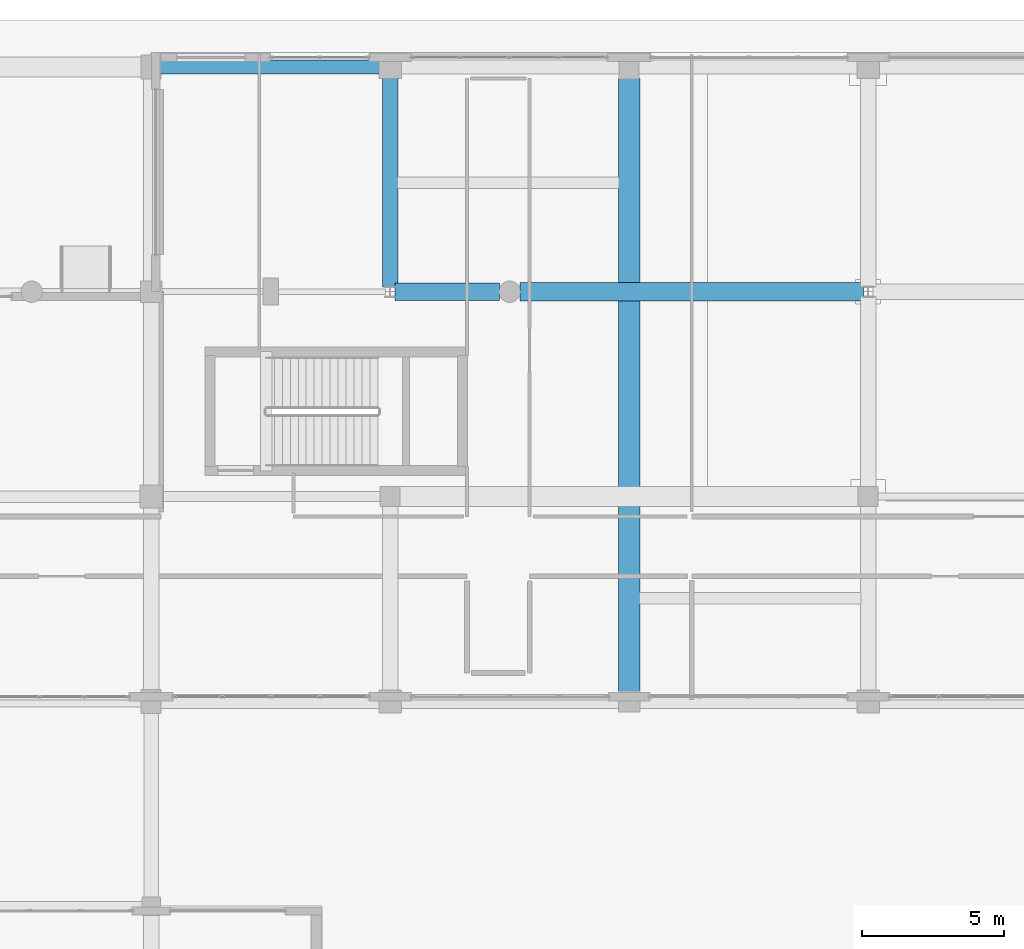
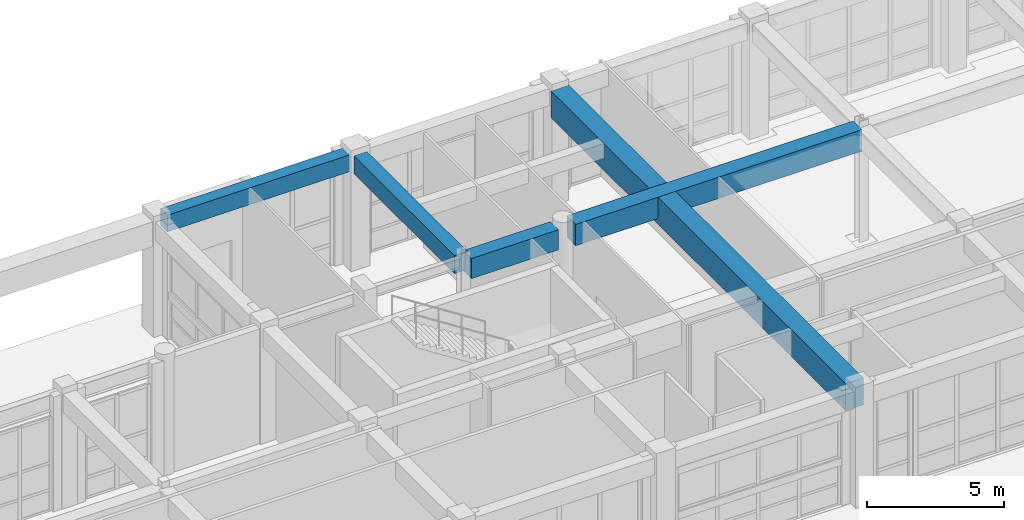
# One storey, part 92 of 148: 5 beams.
"""IFC4 building model written with IfcOpenShell, lengths in metres."""

from ifc_helpers import new_model, si_unit, direction, frame, origin, origin_2d, place, context, subcontext, project, spatial, rectangle, extrude, material, material_profile, profile_set, type_object, element, save


model = new_model("IFC4")

# Units and contexts
model_context = context("Model", 3, precision=1e-05, world=origin(), true_north=direction((0.0, 1.0)))
body_context = subcontext(model_context, "Body", "Model", "MODEL_VIEW")
ifc_project = project(units=[si_unit("LENGTHUNIT", "METRE"), si_unit("AREAUNIT", "SQUARE_METRE"), si_unit("VOLUMEUNIT", "CUBIC_METRE"), si_unit("PLANEANGLEUNIT", "RADIAN"), si_unit("MASSUNIT", "GRAM", prefix="KILO")], contexts=[model_context])

# Site, building, storey
site_placement = place(None, origin())
site = spatial("IfcSite", under=ifc_project, at=site_placement, CompositionType="ELEMENT")
building_placement = place(site_placement, origin())
building = spatial("IfcBuilding", under=site, at=building_placement, Name="Quendrovan Civic Courthouse", CompositionType="ELEMENT")
storey_placement = place(building_placement, origin())
storey = spatial("IfcBuildingStorey", under=building, at=storey_placement, Name="L01", CompositionType="ELEMENT", Elevation=0.0)

# Beams
ifc_material_1 = material(Name="Post-tensioned concrete C50/60", Category="concrete")
ifc_material_profile_1 = material_profile(ifc_material_1, rectangle(XDim=0.75, YDim=1.199951171875, at=origin_2d()), Name="PT-GIRD-750x1200")
ifc_profile_set_1 = profile_set([ifc_material_profile_1], Name="Post-tensioned concrete C50/60")
beam_type_1 = type_object("IfcBeamType", Name="BM-PT1200", PredefinedType="BEAM", material=ifc_profile_set_1)
beam_1_placement = place(storey_placement, frame((126.0, 87.955078125, 4.52001953125), z_axis=(0.0, 1.0, 0.0), x_axis=(-1.0, 0.0, 0.0)))
element("IfcBeam", 1, at=beam_1_placement, inside=storey, type_object=beam_type_1, Name="L01 Girder Y0466", PredefinedType="BEAM", context=body_context, shape_type="SweptSolid", body=[
    extrude(rectangle(XDim=0.75, YDim=1.199951171875, at=origin_2d()), origin(), (0.0, 0.0, 1.0), 21.5400390625),
])
ifc_material_profile_2 = material_profile(ifc_material_1, rectangle(XDim=0.64990234375, YDim=0.949951171875, at=origin_2d()), Name="PT-GIRD-650x950")
ifc_profile_set_2 = profile_set([ifc_material_profile_2], Name="Post-tensioned concrete C50/60")
beam_type_2 = type_object("IfcBeamType", Name="BM-PT950", PredefinedType="BEAM", material=ifc_profile_set_2)
beam_2_placement = place(storey_placement, frame((122.155029296875, 102.0, 4.64501953125), z_axis=(1.0, 0.0, 0.0), x_axis=(0.0, 1.0, 0.0)))
element("IfcBeam", 2, at=beam_2_placement, inside=storey, type_object=beam_type_2, Name="L01 Girder X0352", PredefinedType="BEAM", context=body_context, shape_type="SweptSolid", body=[
    extrude(rectangle(XDim=0.64990234375, YDim=0.949951171875, at=origin_2d()), origin(), (0.0, 0.0, 1.0), 12.077880859375),
])
ifc_material_2 = material(Name="Concrete C40/50", Category="concrete")
ifc_material_profile_3 = material_profile(ifc_material_2, rectangle(XDim=0.5, YDim=0.75, at=origin_2d()), Name="RC-BM-500x750")
ifc_profile_set_3 = profile_set([ifc_material_profile_3], Name="Concrete C40/50")
beam_type_3 = type_object("IfcBeamType", Name="BM-RC750", PredefinedType="SPANDREL", material=ifc_profile_set_3)
beam_3_placement = place(storey_placement, frame((109.530029296875, 109.89990234375, 4.7451171875), z_axis=(1.0, 0.0, 0.0), x_axis=(0.0, 1.0, 0.0)))
element("IfcBeam", 3, at=beam_3_placement, inside=storey, type_object=beam_type_3, Name="L01 Girder X0364", PredefinedType="SPANDREL", context=body_context, shape_type="SweptSolid", body=[
    extrude(rectangle(XDim=0.5, YDim=0.75, at=origin_2d()), origin(), (0.0, 0.0, 1.0), 7.68994140625),
])
ifc_material_profile_4 = material_profile(ifc_material_2, rectangle(XDim=0.550048828125, YDim=0.800048828125, at=origin_2d()), Name="RC-BM-550x800")
ifc_profile_set_4 = profile_set([ifc_material_profile_4], Name="Concrete C40/50")
beam_type_4 = type_object("IfcBeamType", Name="BM-RC800", PredefinedType="BEAM", material=ifc_profile_set_4)
beam_4_placement = place(storey_placement, frame((117.60009765625, 102.166015625, 4.719970703125), z_axis=(0.0, 1.0, 0.0), x_axis=(-1.0, 0.0, 0.0)))
element("IfcBeam", 4, at=beam_4_placement, inside=storey, type_object=beam_type_4, Name="L01 Girder Y0465", PredefinedType="BEAM", context=body_context, shape_type="SweptSolid", body=[
    extrude(rectangle(XDim=0.550048828125, YDim=0.800048828125, at=origin_2d()), origin(), (0.0, 0.0, 1.0), 7.35400390625),
])
ifc_material_profile_5 = material_profile(ifc_material_2, rectangle(XDim=0.60009765625, YDim=0.89990234375, at=origin_2d()), Name="RC-BM-600x900")
ifc_profile_set_5 = profile_set([ifc_material_profile_5], Name="Concrete C40/50")
beam_type_5 = type_object("IfcBeamType", Name="BM-RC900", PredefinedType="BEAM", material=ifc_profile_set_5)
beam_5_placement = place(storey_placement, frame((117.76708984375, 102.0, 4.669921875), z_axis=(1.0, 0.0, 0.0), x_axis=(0.0, 1.0, 0.0)))
element("IfcBeam", 5, at=beam_5_placement, inside=storey, type_object=beam_type_5, Name="L01 Girder X0351", PredefinedType="BEAM", context=body_context, shape_type="SweptSolid", body=[
    extrude(rectangle(XDim=0.60009765625, YDim=0.89990234375, at=origin_2d()), origin(), (0.0, 0.0, 1.0), 3.677978515625),
])

save(model, "model.ifc")
